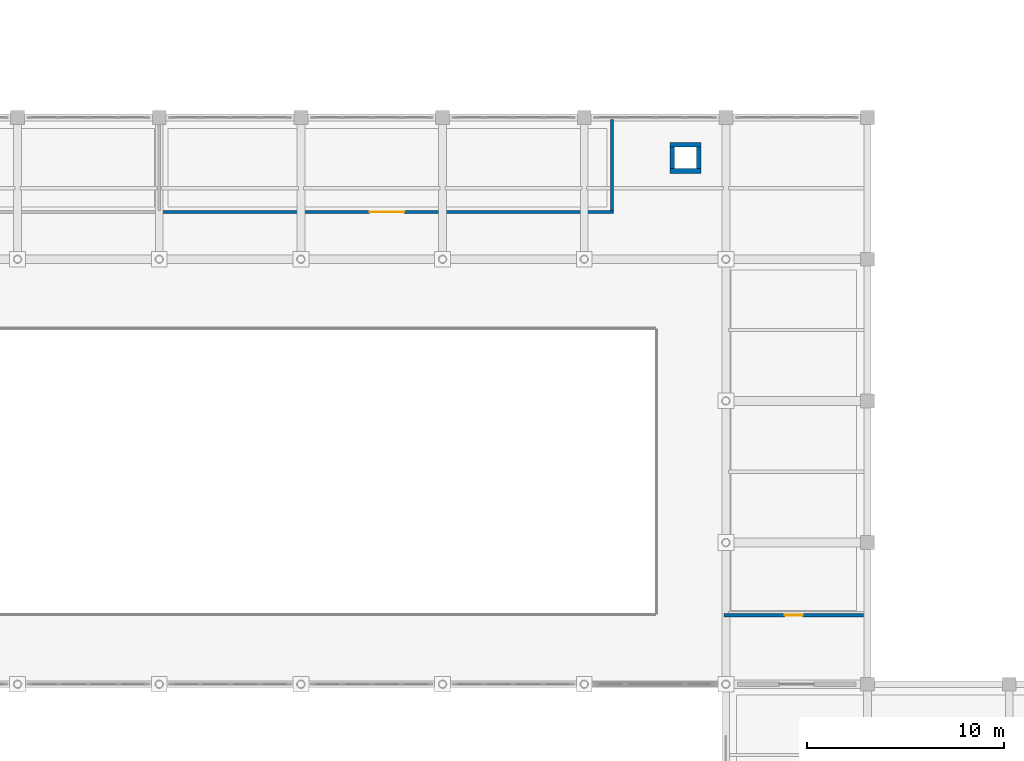
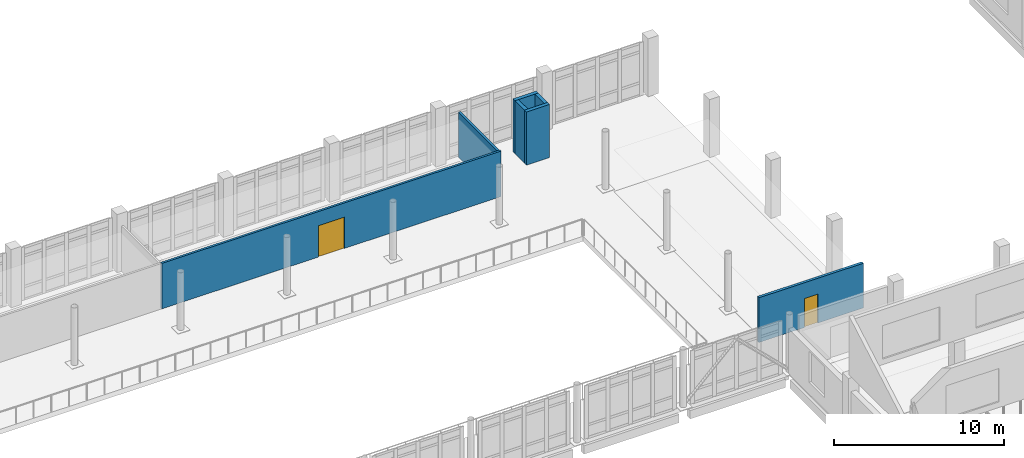
# One storey, part 41 of 62: 7 walls, 2 doors, 2 openings.
"""IFC4 building model written with IfcOpenShell, lengths in metres."""

from ifc_helpers import new_model, si_unit, direction, frame, frame_2d, origin, place, context, subcontext, project, spatial, rectangle, extrude, material, layer, layer_set, type_object, element, fill, save


model = new_model("IFC4")

# Units and contexts
model_context = context("Model", 3, precision=1e-05, world=origin(), true_north=direction((0.0, 1.0)))
body_context = subcontext(model_context, "Body", "Model", "MODEL_VIEW")
ifc_project = project(units=[si_unit("LENGTHUNIT", "METRE"), si_unit("AREAUNIT", "SQUARE_METRE"), si_unit("VOLUMEUNIT", "CUBIC_METRE"), si_unit("PLANEANGLEUNIT", "RADIAN"), si_unit("MASSUNIT", "GRAM", prefix="KILO")], contexts=[model_context])

# Site, building, storey
site_placement = place(None, origin())
site = spatial("IfcSite", under=ifc_project, at=site_placement, CompositionType="ELEMENT")
building_placement = place(site_placement, origin())
building = spatial("IfcBuilding", under=site, at=building_placement, Name="Valkovuoma Quantum and Materials Research Institute", CompositionType="ELEMENT")
storey_placement = place(building_placement, frame((0.0, 0.0, 8.9599609375)))
storey = spatial("IfcBuildingStorey", under=building, at=storey_placement, Name="L02", CompositionType="ELEMENT", Elevation=8.9599609375)

# Wall, opening, door
ifc_material_1 = material(Name="Acoustic write-up studio partition", Category="masonry")
ifc_layer_1 = layer(ifc_material_1, 0.14990234375)
ifc_layer_set_1 = layer_set([ifc_layer_1], Name="Acoustic write-up studio partition")
wall_type_1 = type_object("IfcWallType", Name="Wall-W-PRT150", PredefinedType="PARTITIONING", material=ifc_layer_set_1)
wall_1_placement = place(storey_placement, frame((72.0673828125, 60.0, 0.0), z_axis=(0.0, 0.0, 1.0), x_axis=(1.0, 0.0, 0.0)))
wall_1 = element("IfcWall", 1, at=wall_1_placement, inside=storey, type_object=wall_type_1, Name="L02 partition 0122", PredefinedType="PARTITIONING", context=body_context, shape_type="SweptSolid", body=[
    extrude(rectangle(XDim=23.007568359375, YDim=0.14990234375, at=frame_2d((11.50390625, 0.0))), origin(), (0.0, 0.0, 1.0), 3.260009765625),
])
opening_1_placement = place(wall_1_placement, frame((10.62890625, 0.0, 0.0)))
opening_1 = element("IfcOpeningElement", 2, at=opening_1_placement, cuts=wall_1, Name="Opening ID-0088", PredefinedType="OPENING", context=body_context, shape_type="SweptSolid", body=[
    extrude(rectangle(XDim=1.75, YDim=2.25, at=frame_2d((0.875, 1.125))), frame((0.0, 0.0849609375, 0.0), z_axis=(0.0, -1.0, 0.0), x_axis=(1.0, 0.0, 0.0)), (0.0, 0.0, 1.0), 0.169921875),
])
ifc_material_2 = material(Name="Powder-coated steel and acoustic timber door assembly", Category="steel")
door_type_1 = type_object("IfcDoorType", Name="Door-DR-SM04", OperationType="NOTDEFINED", PredefinedType="DOOR", material=ifc_material_2)
door_1_placement = place(opening_1_placement, origin())
door_1 = element("IfcDoor", 3, at=door_1_placement, inside=storey, type_object=door_type_1, Name="L02 room door 0088", OperationType="DOUBLE_DOOR_SINGLE_SWING", OverallHeight=2.25, OverallWidth=1.75, PredefinedType="DOOR", context=body_context, shape_type="SweptSolid", body=[
    extrude(rectangle(XDim=1.75, YDim=2.25, at=frame_2d((0.875, 1.125))), frame((0.0, 0.02490234375, 0.0), z_axis=(0.0, -1.0, 0.0), x_axis=(1.0, 0.0, 0.0)), (0.0, 0.0, 1.0), 0.050048828125),
])
fill(opening_1, door_1)

# Wall
wall_2_placement = place(storey_placement, frame((95.0, 60.074951171875, 0.0), z_axis=(0.0, 0.0, 1.0), x_axis=(0.0, 1.0, 0.0)))
element("IfcWall", 4, at=wall_2_placement, inside=storey, type_object=wall_type_1, Name="L02 partition 0123", PredefinedType="PARTITIONING", context=body_context, shape_type="SweptSolid", body=[
    extrude(rectangle(XDim=4.625, YDim=0.14990234375, at=frame_2d((2.3125, 0.0))), origin(), (0.0, 0.0, 1.0), 3.2099609375),
])

# Wall, opening, door
ifc_material_3 = material(Name="Laboratory fire-rated gypsum partition", Category="masonry")
ifc_layer_2 = layer(ifc_material_3, 0.179931640625)
ifc_layer_set_2 = layer_set([ifc_layer_2], Name="Laboratory fire-rated gypsum partition")
wall_type_2 = type_object("IfcWallType", Name="Wall-W-PRT180", PredefinedType="PARTITIONING", material=ifc_layer_set_2)
wall_3_placement = place(storey_placement, frame((100.7099609375, 39.5, 0.0), z_axis=(0.0, 0.0, 1.0), x_axis=(1.0, 0.0, 0.0)))
wall_3 = element("IfcWall", 5, at=wall_3_placement, inside=storey, type_object=wall_type_2, Name="L02 partition 0124", PredefinedType="PARTITIONING", context=body_context, shape_type="SweptSolid", body=[
    extrude(rectangle(XDim=7.080078125, YDim=0.179931640625, at=frame_2d((3.5400390625, 0.0))), origin(), (0.0, 0.0, 1.0), 3.2099609375),
])
opening_2_placement = place(wall_3_placement, frame((3.0849609375, 0.0, 0.0)))
opening_2 = element("IfcOpeningElement", 6, at=opening_2_placement, cuts=wall_3, Name="Opening ID-0089", PredefinedType="OPENING", context=body_context, shape_type="SweptSolid", body=[
    extrude(rectangle(XDim=0.909912109375, YDim=2.080078125, at=frame_2d((0.455078125, 1.0400390625))), frame((0.0, 0.10009765625, 0.0), z_axis=(0.0, -1.0, 0.0), x_axis=(1.0, 0.0, 0.0)), (0.0, 0.0, 1.0), 0.199951171875),
])
ifc_material_4 = material(Name="Powder-coated steel and acoustic timber door assembly", Category="steel")
door_type_2 = type_object("IfcDoorType", Name="Door-DR-RM01", OperationType="NOTDEFINED", PredefinedType="DOOR", material=ifc_material_4)
door_2_placement = place(opening_2_placement, origin())
door_2 = element("IfcDoor", 7, at=door_2_placement, inside=storey, type_object=door_type_2, Name="L02 room door 0089", OperationType="SINGLE_SWING_RIGHT", OverallHeight=2.080078125, OverallWidth=0.909912109375, PredefinedType="DOOR", context=body_context, shape_type="SweptSolid", body=[
    extrude(rectangle(XDim=0.909912109375, YDim=2.080078125, at=frame_2d((0.455078125, 1.0400390625))), frame((0.0, 0.02490234375, 0.0), z_axis=(0.0, -1.0, 0.0), x_axis=(1.0, 0.0, 0.0)), (0.0, 0.0, 1.0), 0.050048828125),
])
fill(opening_2, door_2)

# Walls
ifc_material_5 = material(Name="Concrete C40/50", Category="concrete")
ifc_layer_3 = layer(ifc_material_5, 0.239990234375)
ifc_layer_set_3 = layer_set([ifc_layer_3], Name="Concrete C40/50")
wall_type_3 = type_object("IfcWallType", Name="Wall-W-SHF240", PredefinedType="SOLIDWALL", material=ifc_layer_set_3)
for number, where, z_axis, x_axis, name in (
    (8, (97.9599609375, 62.080078125, 0.0), (0.0, 0.0, 1.0), (1.0, 0.0, 0.0), "L02 core wall 0357"),
    (9, (97.9599609375, 63.419921875, 0.0), (0.0, 0.0, 1.0), (1.0, 0.0, 0.0), "L02 core wall 0358"),
):
    element("IfcWall", number, at=place(storey_placement, frame(where, z_axis=z_axis, x_axis=x_axis)), inside=storey, type_object=wall_type_3, Name=name, PredefinedType="SOLIDWALL", context=body_context, shape_type="SweptSolid", body=[
        extrude(rectangle(XDim=1.580078125, YDim=0.239990234375, at=frame_2d((0.7900390625, 0.0))), origin(), (0.0, 0.0, 1.0), 3.81005859375),
    ])
for number, where, z_axis, x_axis, name in (
    (10, (98.080078125, 62.199951171875, 0.0), (0.0, 0.0, 1.0), (0.0, 1.0, 0.0), "L02 core wall 0359"),
    (11, (99.419921875, 62.199951171875, 0.0), (0.0, 0.0, 1.0), (0.0, 1.0, 0.0), "L02 core wall 0360"),
):
    element("IfcWall", number, at=place(storey_placement, frame(where, z_axis=z_axis, x_axis=x_axis)), inside=storey, type_object=wall_type_3, Name=name, PredefinedType="SOLIDWALL", context=body_context, shape_type="SweptSolid", body=[
        extrude(rectangle(XDim=1.10009765625, YDim=0.239990234375, at=frame_2d((0.550048828125, 0.0))), origin(), (0.0, 0.0, 1.0), 3.81005859375),
    ])

save(model, "model.ifc")
